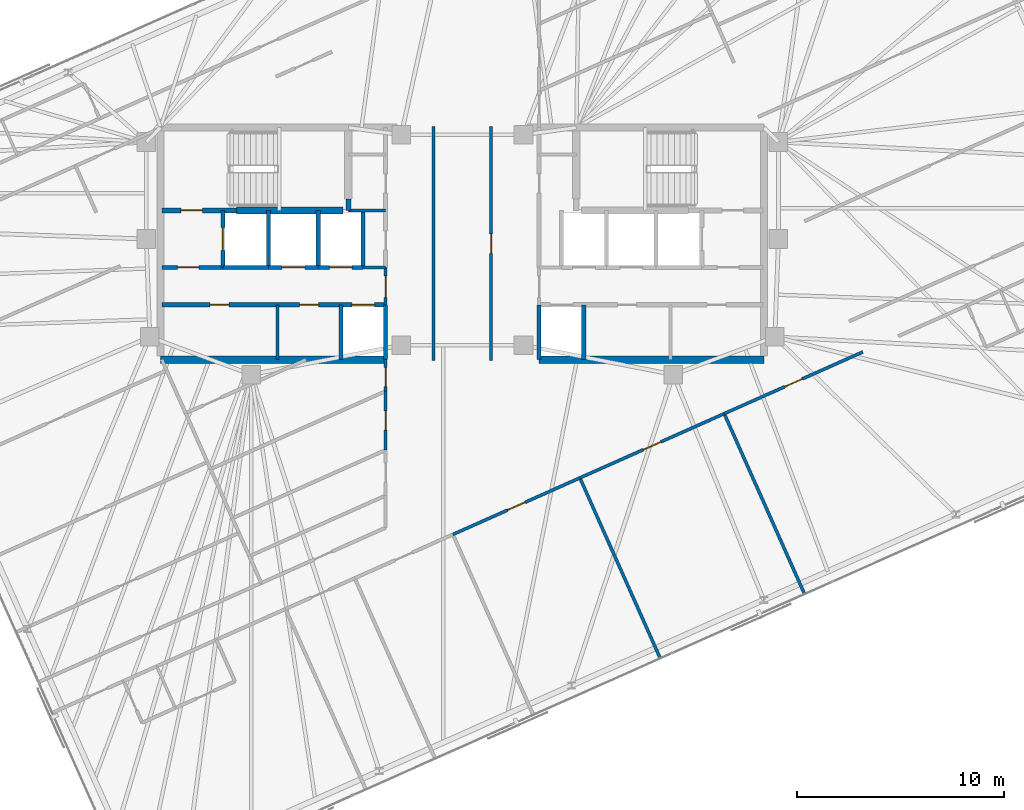
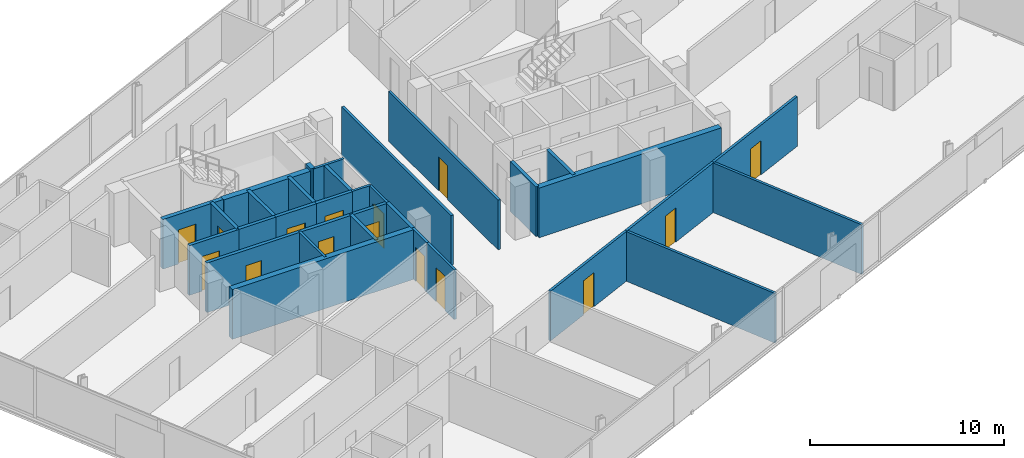
# One storey, part 14 of 19: 31 walls, 15 doors, 15 openings.
"""IFC4 building model written with IfcOpenShell, lengths in metres."""

from ifc_helpers import new_model, si_unit, direction, frame, frame_2d, origin, place, context, subcontext, project, spatial, rectangle, extrude, material, layer, layer_set, type_object, element, fill, save


model = new_model("IFC4")

# Units and contexts
model_context = context("Model", 3, precision=1e-05, world=origin(), true_north=direction((0.0, 1.0)))
body_context = subcontext(model_context, "Body", "Model", "MODEL_VIEW")
ifc_project = project(units=[si_unit("LENGTHUNIT", "METRE"), si_unit("AREAUNIT", "SQUARE_METRE"), si_unit("VOLUMEUNIT", "CUBIC_METRE"), si_unit("PLANEANGLEUNIT", "RADIAN"), si_unit("MASSUNIT", "GRAM", prefix="KILO")], contexts=[model_context])

# Site, building, storey
site_placement = place(None, origin())
site = spatial("IfcSite", under=ifc_project, at=site_placement, CompositionType="ELEMENT")
building_placement = place(site_placement, origin())
building = spatial("IfcBuilding", under=site, at=building_placement, Name="Menara Jurai Vektor", CompositionType="ELEMENT")
storey_placement = place(building_placement, frame((0.0, 0.0, 262.199951171875)))
storey = spatial("IfcBuildingStorey", under=building, at=storey_placement, Name="L70", CompositionType="ELEMENT", Elevation=262.199951171875)

# Wall, opening, door
ifc_material_1 = material(Name="Concrete C40/50", Category="concrete")
ifc_layer_1 = layer(ifc_material_1, 0.25)
ifc_layer_set_1 = layer_set([ifc_layer_1], Name="Concrete C40/50")
wall_type_1 = type_object("IfcWallType", Name="INT-WALL-CORE-250", PredefinedType="STANDARD", material=ifc_layer_set_1)
wall_1_placement = place(storey_placement, frame((-14.5, 1.60009765625, 0.0), z_axis=(0.0, 0.0, 1.0), x_axis=(1.0, 0.0, 0.0)))
wall_1 = element("IfcWall", 1, at=wall_1_placement, inside=storey, type_object=wall_type_1, Name="Interior Wall IW-250 L70", PredefinedType="STANDARD", context=body_context, shape_type="SweptSolid", body=[
    extrude(rectangle(XDim=3.60009765625, YDim=0.25, at=frame_2d((1.800048828125, 0.0))), origin(), (0.0, 0.0, 1.0), 3.125),
])
opening_1_placement = place(wall_1_placement, frame((0.919921875, 0.0, 0.0)))
opening_1 = element("IfcOpeningElement", 2, at=opening_1_placement, cuts=wall_1, Name="Opening D-L70-ST1", PredefinedType="OPENING", context=body_context, shape_type="SweptSolid", body=[
    extrude(rectangle(XDim=1.050048828125, YDim=2.14990234375, at=frame_2d((0.52490234375, 1.074951171875))), frame((0.0, 0.135009765625, 0.0), z_axis=(0.0, -1.0, 0.0), x_axis=(1.0, 0.0, 0.0)), (0.0, 0.0, 1.0), 0.27001953125),
])
ifc_material_2 = material(Name="Fire-Rated Steel Door", Category="steel")
door_type_1 = type_object("IfcDoorType", Name="DR-STAIR-1050", OperationType="NOTDEFINED", PredefinedType="DOOR", material=ifc_material_2)
door_1_placement = place(opening_1_placement, origin())
door_1 = element("IfcDoor", 3, at=door_1_placement, inside=storey, type_object=door_type_1, Name="Exit Stair ST1 Door L70", OperationType="SINGLE_SWING_RIGHT", OverallHeight=2.14990234375, OverallWidth=1.050048828125, PredefinedType="DOOR", context=body_context, shape_type="SweptSolid", body=[
    extrude(rectangle(XDim=1.050048828125, YDim=2.14990234375, at=frame_2d((0.52490234375, 1.074951171875))), frame((0.0, 0.02490234375, 0.0), z_axis=(0.0, -1.0, 0.0), x_axis=(1.0, 0.0, 0.0)), (0.0, 0.0, 1.0), 0.050048828125),
])
fill(opening_1, door_1)

# Wall
wall_2_placement = place(storey_placement, frame((-5.5, 1.60009765625, 0.0), z_axis=(0.0, 0.0, 1.0), x_axis=(0.0, 1.0, 0.0)))
element("IfcWall", 4, at=wall_2_placement, inside=storey, type_object=wall_type_1, Name="Interior Wall IW-250 L70", PredefinedType="STANDARD", context=body_context, shape_type="SweptSolid", body=[
    extrude(rectangle(XDim=0.5498046875, YDim=0.25, at=frame_2d((0.27490234375, 0.0))), origin(), (0.0, 0.0, 1.0), 3.125),
])

# Wall, opening, door
wall_3_placement = place(storey_placement, frame((-11.550048828125, -1.14990234375, 0.0), z_axis=(0.0, 0.0, 1.0), x_axis=(0.0, 1.0, 0.0)))
wall_3 = element("IfcWall", 5, at=wall_3_placement, inside=storey, type_object=wall_type_1, Name="Interior Wall IW-250 L70", PredefinedType="STANDARD", context=body_context, shape_type="SweptSolid", body=[
    extrude(rectangle(XDim=2.75, YDim=0.199951171875, at=frame_2d((1.375, 0.0))), origin(), (0.0, 0.0, 1.0), 3.125),
])
opening_2_placement = place(wall_3_placement, frame((0.824951171875, 0.0, 0.0)))
opening_2 = element("IfcOpeningElement", 6, at=opening_2_placement, cuts=wall_3, Name="Opening LD-L70-FL1", PredefinedType="OPENING", context=body_context, shape_type="SweptSolid", body=[
    extrude(rectangle(XDim=1.10009765625, YDim=2.14990234375, at=frame_2d((0.550048828125, 1.074951171875))), frame((0.0, 0.10986328125, 0.0), z_axis=(0.0, -1.0, 0.0), x_axis=(1.0, 0.0, 0.0)), (0.0, 0.0, 1.0), 0.219970703125),
])
ifc_material_3 = material(Name="Stainless Steel Sliding Lift Landing Door", Category="steel")
door_type_2 = type_object("IfcDoorType", Name="DR-LIFT-FIRE-1100", OperationType="NOTDEFINED", PredefinedType="DOOR", material=ifc_material_3)
door_2_placement = place(opening_2_placement, origin())
door_2 = element("IfcDoor", 7, at=door_2_placement, inside=storey, type_object=door_type_2, Name="Lift Landing Door FL1 L70", OperationType="SLIDING_TO_RIGHT", OverallHeight=2.14990234375, OverallWidth=1.10009765625, PredefinedType="DOOR", context=body_context, shape_type="SweptSolid", body=[
    extrude(rectangle(XDim=1.10009765625, YDim=2.14990234375, at=frame_2d((0.550048828125, 1.074951171875))), frame((0.0, 0.02490234375, 0.0), z_axis=(0.0, -1.0, 0.0), x_axis=(1.0, 0.0, 0.0)), (0.0, 0.0, 1.0), 0.050048828125),
])
fill(opening_2, door_2)

# Wall
wall_4_placement = place(storey_placement, frame((-9.35009765625, -1.14990234375, 0.0), z_axis=(0.0, 0.0, 1.0), x_axis=(0.0, 1.0, 0.0)))
element("IfcWall", 8, at=wall_4_placement, inside=storey, type_object=wall_type_1, Name="Interior Wall IW-250 L70", PredefinedType="STANDARD", context=body_context, shape_type="SweptSolid", body=[
    extrude(rectangle(XDim=2.75, YDim=0.199951171875, at=frame_2d((1.375, 0.0))), origin(), (0.0, 0.0, 1.0), 3.125),
])

# Wall, opening, door
wall_5_placement = place(storey_placement, frame((-14.5, -1.14990234375, 0.0), z_axis=(0.0, 0.0, 1.0), x_axis=(1.0, 0.0, 0.0)))
wall_5 = element("IfcWall", 9, at=wall_5_placement, inside=storey, type_object=wall_type_1, Name="Interior Wall IW-250 L70", PredefinedType="STANDARD", context=body_context, shape_type="SweptSolid", body=[
    extrude(rectangle(XDim=2.949951171875, YDim=0.199951171875, at=frame_2d((1.47509765625, 0.0))), origin(), (0.0, 0.0, 1.0), 3.125),
])
opening_3_placement = place(wall_5_placement, frame((0.75, 0.0, 0.0)))
opening_3 = element("IfcOpeningElement", 10, at=opening_3_placement, cuts=wall_5, Name="Opening D-L70-FFW", PredefinedType="OPENING", context=body_context, shape_type="SweptSolid", body=[
    extrude(rectangle(XDim=1.050048828125, YDim=2.179931640625, at=frame_2d((0.52490234375, 1.08984375))), frame((0.0, 0.10986328125, 0.0), z_axis=(0.0, -1.0, 0.0), x_axis=(1.0, 0.0, 0.0)), (0.0, 0.0, 1.0), 0.219970703125),
])
ifc_material_4 = material(Name="Fire-Rated Timber Door", Category="wood")
door_type_3 = type_object("IfcDoorType", Name="DR-LOBBY-1050", OperationType="NOTDEFINED", PredefinedType="DOOR", material=ifc_material_4)
door_3_placement = place(opening_3_placement, origin())
door_3 = element("IfcDoor", 11, at=door_3_placement, inside=storey, type_object=door_type_3, Name="Fire Lift Lobby Door W L70", OperationType="SINGLE_SWING_RIGHT", OverallHeight=2.179931640625, OverallWidth=1.050048828125, PredefinedType="DOOR", context=body_context, shape_type="SweptSolid", body=[
    extrude(rectangle(XDim=1.050048828125, YDim=2.179931640625, at=frame_2d((0.52490234375, 1.08984375))), frame((0.0, 0.02490234375, 0.0), z_axis=(0.0, -1.0, 0.0), x_axis=(1.0, 0.0, 0.0)), (0.0, 0.0, 1.0), 0.050048828125),
])
fill(opening_3, door_3)

# Wall
wall_6_placement = place(storey_placement, frame((-11.550048828125, -1.14990234375, 0.0), z_axis=(0.0, 0.0, 1.0), x_axis=(1.0, 0.0, 0.0)))
element("IfcWall", 12, at=wall_6_placement, inside=storey, type_object=wall_type_1, Name="Interior Wall IW-250 L70", PredefinedType="STANDARD", context=body_context, shape_type="SweptSolid", body=[
    extrude(rectangle(XDim=2.199951171875, YDim=0.199951171875, at=frame_2d((1.10009765625, 0.0))), origin(), (0.0, 0.0, 1.0), 3.125),
])

# Wall, opening, door
ifc_material_5 = material(Name="Gypsum Fireboard Partition", Category="gypsum")
ifc_layer_2 = layer(ifc_material_5, 0.14990234375)
ifc_layer_set_2 = layer_set([ifc_layer_2], Name="Gypsum Fireboard Partition")
wall_type_2 = type_object("IfcWallType", Name="INT-WALL-CORR-150", PredefinedType="PARTITIONING", material=ifc_layer_set_2)
wall_7_placement = place(storey_placement, frame((-3.699951171875, -2.949951171875, 0.0), z_axis=(0.0, 0.0, 1.0), x_axis=(0.0, 1.0, 0.0)))
wall_7 = element("IfcWall", 13, at=wall_7_placement, inside=storey, type_object=wall_type_2, Name="Interior Wall IW-150 L70", PredefinedType="PARTITIONING", context=body_context, shape_type="SweptSolid", body=[
    extrude(rectangle(XDim=1.800048828125, YDim=0.14990234375, at=frame_2d((0.89990234375, 0.0))), origin(), (0.0, 0.0, 1.0), 3.125),
])
opening_4_placement = place(wall_7_placement, frame((0.35009765625, 0.0, 0.0)))
opening_4 = element("IfcOpeningElement", 14, at=opening_4_placement, cuts=wall_7, Name="Opening D-L70-LLW", PredefinedType="OPENING", context=body_context, shape_type="SweptSolid", body=[
    extrude(rectangle(XDim=1.050048828125, YDim=2.179931640625, at=frame_2d((0.52490234375, 1.08984375))), frame((0.0, 0.0849609375, 0.0), z_axis=(0.0, -1.0, 0.0), x_axis=(1.0, 0.0, 0.0)), (0.0, 0.0, 1.0), 0.169921875),
])
door_4_placement = place(opening_4_placement, origin())
door_4 = element("IfcDoor", 15, at=door_4_placement, inside=storey, type_object=door_type_3, Name="Lift Lobby Corridor Door W L70", OperationType="SINGLE_SWING_LEFT", OverallHeight=2.179931640625, OverallWidth=1.050048828125, PredefinedType="DOOR", context=body_context, shape_type="SweptSolid", body=[
    extrude(rectangle(XDim=1.050048828125, YDim=2.179931640625, at=frame_2d((0.52490234375, 1.08984375))), frame((0.0, 0.02490234375, 0.0), z_axis=(0.0, -1.0, 0.0), x_axis=(1.0, 0.0, 0.0)), (0.0, 0.0, 1.0), 0.050048828125),
])
fill(opening_4, door_4)

# Walls
wall_8_placement = place(storey_placement, frame((-4.7900390625, -1.14990234375, 0.0), z_axis=(0.0, 0.0, 1.0), x_axis=(1.0, 0.0, 0.0)))
element("IfcWall", 16, at=wall_8_placement, inside=storey, type_object=wall_type_2, Name="Interior Wall IW-150 L70", PredefinedType="PARTITIONING", context=body_context, shape_type="SweptSolid", body=[
    extrude(rectangle(XDim=1.090087890625, YDim=0.14990234375, at=frame_2d((0.544921875, 0.0))), origin(), (0.0, 0.0, 1.0), 3.125),
])
wall_9_placement = place(storey_placement, frame((-8.919921875, -5.60009765625, 0.0), z_axis=(0.0, 0.0, 1.0), x_axis=(0.0, 1.0, 0.0)))
element("IfcWall", 17, at=wall_9_placement, inside=storey, type_object=wall_type_2, Name="Interior Wall IW-150 L70", PredefinedType="PARTITIONING", context=body_context, shape_type="SweptSolid", body=[
    extrude(rectangle(XDim=2.650146484375, YDim=0.14990234375, at=frame_2d((1.3251953125, 0.0))), origin(), (0.0, 0.0, 1.0), 3.125),
])
wall_10_placement = place(storey_placement, frame((-5.5, 1.60009765625, 0.0), z_axis=(0.0, 0.0, 1.0), x_axis=(1.0, 0.0, 0.0)))
element("IfcWall", 18, at=wall_10_placement, inside=storey, type_object=wall_type_2, Name="Interior Wall IW-150 L70", PredefinedType="PARTITIONING", context=body_context, shape_type="SweptSolid", body=[
    extrude(rectangle(XDim=1.800048828125, YDim=0.14990234375, at=frame_2d((0.89990234375, 0.0))), origin(), (0.0, 0.0, 1.0), 3.125),
])
wall_11_placement = place(storey_placement, frame((-1.390869140625, -5.64990234375, 0.0), z_axis=(0.0, 0.0, 1.0), x_axis=(-2.1605738e-05, 0.999999999767, 0.0)))
element("IfcWall", 19, at=wall_11_placement, inside=storey, type_object=wall_type_2, Name="Interior Wall IW-150 L70", PredefinedType="PARTITIONING", context=body_context, shape_type="SweptSolid", body=[
    extrude(rectangle(XDim=11.2998046875, YDim=0.14990234375, at=frame_2d((5.64990234375, 0.0))), origin(), (0.0, 0.0, 1.0), 3.125),
])

# Wall, opening, door
wall_12_placement = place(storey_placement, frame((1.390869140625, -5.650390625, 0.0), z_axis=(0.0, 0.0, 1.0), x_axis=(4.3206809e-05, 0.999999999067, 0.0)))
wall_12 = element("IfcWall", 20, at=wall_12_placement, inside=storey, type_object=wall_type_2, Name="Interior Wall IW-150 L70", PredefinedType="PARTITIONING", context=body_context, shape_type="SweptSolid", body=[
    extrude(rectangle(XDim=11.301025390625, YDim=0.14990234375, at=frame_2d((5.650390625, 0.0))), origin(), (0.0, 0.0, 1.0), 3.125),
])
opening_5_placement = place(wall_12_placement, frame((5.175537109375, 0.0, 0.0)))
opening_5 = element("IfcOpeningElement", 21, at=opening_5_placement, cuts=wall_12, Name="Opening D70-08", PredefinedType="OPENING", context=body_context, shape_type="SweptSolid", body=[
    extrude(rectangle(XDim=0.949951171875, YDim=2.14990234375, at=frame_2d((0.47509765625, 1.074951171875))), frame((0.0, 0.0849609375, 0.0), z_axis=(0.0, -1.0, 0.0), x_axis=(1.0, 0.0, 0.0)), (0.0, 0.0, 1.0), 0.169921875),
])
ifc_material_6 = material(Name="Solid Core Timber Fire Door", Category="wood")
door_type_4 = type_object("IfcDoorType", Name="DR-ENTRY-950", OperationType="NOTDEFINED", PredefinedType="DOOR", material=ifc_material_6)
door_5_placement = place(opening_5_placement, origin())
door_5 = element("IfcDoor", 22, at=door_5_placement, inside=storey, type_object=door_type_4, Name="Interior Door D70-08", OperationType="SINGLE_SWING_LEFT", OverallHeight=2.14990234375, OverallWidth=0.949951171875, PredefinedType="DOOR", context=body_context, shape_type="SweptSolid", body=[
    extrude(rectangle(XDim=0.949951171875, YDim=2.14990234375, at=frame_2d((0.47509765625, 1.074951171875))), frame((0.0, 0.02490234375, 0.0), z_axis=(0.0, -1.0, 0.0), x_axis=(1.0, 0.0, 0.0)), (0.0, 0.0, 1.0), 0.050048828125),
])
fill(opening_5, door_5)

wall_13_placement = place(storey_placement, frame((-0.455810546875, -14.0322265625, 0.0), z_axis=(0.0, 0.0, 1.0), x_axis=(0.913541200883, 0.40674620378, 0.0)))
wall_13 = element("IfcWall", 23, at=wall_13_placement, inside=storey, type_object=wall_type_2, Name="Interior Wall IW-150 L70", PredefinedType="PARTITIONING", context=body_context, shape_type="SweptSolid", body=[
    extrude(rectangle(XDim=6.708251953125, YDim=0.14990234375, at=frame_2d((3.35400390625, 0.0))), origin(), (0.0, 0.0, 1.0), 3.125),
])
opening_6_placement = place(wall_13_placement, frame((2.89404296875, 0.0, 0.0)))
opening_6 = element("IfcOpeningElement", 24, at=opening_6_placement, cuts=wall_13, Name="Opening D70-28", PredefinedType="OPENING", context=body_context, shape_type="SweptSolid", body=[
    extrude(rectangle(XDim=0.919921875, YDim=2.14990234375, at=frame_2d((0.4599609375, 1.074951171875))), frame((0.0, 0.0849609375, 0.0), z_axis=(0.0, -1.0, 0.0), x_axis=(1.0, 0.0, 0.0)), (0.0, 0.0, 1.0), 0.169921875),
])
door_6_placement = place(opening_6_placement, origin())
door_6 = element("IfcDoor", 25, at=door_6_placement, inside=storey, type_object=door_type_4, Name="Interior Door D70-28", OperationType="SINGLE_SWING_LEFT", OverallHeight=2.14990234375, OverallWidth=0.919921875, PredefinedType="DOOR", context=body_context, shape_type="SweptSolid", body=[
    extrude(rectangle(XDim=0.919921875, YDim=2.14990234375, at=frame_2d((0.4599609375, 1.074951171875))), frame((0.0, 0.02490234375, 0.0), z_axis=(0.0, -1.0, 0.0), x_axis=(1.0, 0.0, 0.0)), (0.0, 0.0, 1.0), 0.050048828125),
])
fill(opening_6, door_6)

wall_14_placement = place(storey_placement, frame((5.67236328125, -11.3037109375, 0.0), z_axis=(0.0, 0.0, 1.0), x_axis=(0.913549829505, 0.40672682357, 0.0)))
wall_14 = element("IfcWall", 26, at=wall_14_placement, inside=storey, type_object=wall_type_2, Name="Interior Wall IW-150 L70", PredefinedType="PARTITIONING", context=body_context, shape_type="SweptSolid", body=[
    extrude(rectangle(XDim=7.6220703125, YDim=0.14990234375, at=frame_2d((3.81103515625, 0.0))), origin(), (0.0, 0.0, 1.0), 3.125),
])
opening_7_placement = place(wall_14_placement, frame((3.35107421875, 0.0, 0.0)))
opening_7 = element("IfcOpeningElement", 27, at=opening_7_placement, cuts=wall_14, Name="Opening D70-29", PredefinedType="OPENING", context=body_context, shape_type="SweptSolid", body=[
    extrude(rectangle(XDim=0.919921875, YDim=2.14990234375, at=frame_2d((0.4599609375, 1.074951171875))), frame((0.0, 0.0849609375, 0.0), z_axis=(0.0, -1.0, 0.0), x_axis=(1.0, 0.0, 0.0)), (0.0, 0.0, 1.0), 0.169921875),
])
door_7_placement = place(opening_7_placement, origin())
door_7 = element("IfcDoor", 28, at=door_7_placement, inside=storey, type_object=door_type_4, Name="Interior Door D70-29", OperationType="SINGLE_SWING_RIGHT", OverallHeight=2.14990234375, OverallWidth=0.919921875, PredefinedType="DOOR", context=body_context, shape_type="SweptSolid", body=[
    extrude(rectangle(XDim=0.919921875, YDim=2.14990234375, at=frame_2d((0.4599609375, 1.074951171875))), frame((0.0, 0.02490234375, 0.0), z_axis=(0.0, -1.0, 0.0), x_axis=(1.0, 0.0, 0.0)), (0.0, 0.0, 1.0), 0.050048828125),
])
fill(opening_7, door_7)

wall_15_placement = place(storey_placement, frame((12.635498046875, -8.20361328125, 0.0), z_axis=(0.0, 0.0, 1.0), x_axis=(0.913541702649, 0.406745076825, 0.0)))
wall_15 = element("IfcWall", 29, at=wall_15_placement, inside=storey, type_object=wall_type_2, Name="Interior Wall IW-150 L70", PredefinedType="PARTITIONING", context=body_context, shape_type="SweptSolid", body=[
    extrude(rectangle(XDim=7.318115234375, YDim=0.14990234375, at=frame_2d((3.6591796875, 0.0))), origin(), (0.0, 0.0, 1.0), 3.125),
])
opening_8_placement = place(wall_15_placement, frame((3.198974609375, 0.0, 0.0)))
opening_8 = element("IfcOpeningElement", 30, at=opening_8_placement, cuts=wall_15, Name="Opening D70-30", PredefinedType="OPENING", context=body_context, shape_type="SweptSolid", body=[
    extrude(rectangle(XDim=0.919921875, YDim=2.14990234375, at=frame_2d((0.4599609375, 1.074951171875))), frame((0.0, 0.0849609375, 0.0), z_axis=(0.0, -1.0, 0.0), x_axis=(1.0, 0.0, 0.0)), (0.0, 0.0, 1.0), 0.169921875),
])
door_8_placement = place(opening_8_placement, origin())
door_8 = element("IfcDoor", 31, at=door_8_placement, inside=storey, type_object=door_type_4, Name="Interior Door D70-30", OperationType="SINGLE_SWING_LEFT", OverallHeight=2.14990234375, OverallWidth=0.919921875, PredefinedType="DOOR", context=body_context, shape_type="SweptSolid", body=[
    extrude(rectangle(XDim=0.919921875, YDim=2.14990234375, at=frame_2d((0.4599609375, 1.074951171875))), frame((0.0, 0.02490234375, 0.0), z_axis=(0.0, -1.0, 0.0), x_axis=(1.0, 0.0, 0.0)), (0.0, 0.0, 1.0), 0.050048828125),
])
fill(opening_8, door_8)

wall_16_placement = place(storey_placement, frame((-3.699951171875, -9.95849609375, 0.0), z_axis=(0.0, 0.0, 1.0), x_axis=(-0.000171909917, 0.999999985223, 0.0)))
wall_16 = element("IfcWall", 32, at=wall_16_placement, inside=storey, type_object=wall_type_2, Name="Interior Wall IW-150 L70", PredefinedType="PARTITIONING", context=body_context, shape_type="SweptSolid", body=[
    extrude(rectangle(XDim=2.84033203125, YDim=0.14990234375, at=frame_2d((1.420166015625, 0.0))), origin(), (0.0, 0.0, 1.0), 3.125),
])
opening_9_placement = place(wall_16_placement, frame((0.960205078125, 0.0, 0.0)))
opening_9 = element("IfcOpeningElement", 33, at=opening_9_placement, cuts=wall_16, Name="Opening D70-33", PredefinedType="OPENING", context=body_context, shape_type="SweptSolid", body=[
    extrude(rectangle(XDim=0.919921875, YDim=2.14990234375, at=frame_2d((0.4599609375, 1.074951171875))), frame((0.0, 0.0849609375, 0.0), z_axis=(0.0, -1.0, 0.0), x_axis=(1.0, 0.0, 0.0)), (0.0, 0.0, 1.0), 0.169921875),
])
door_9_placement = place(opening_9_placement, origin())
door_9 = element("IfcDoor", 34, at=door_9_placement, inside=storey, type_object=door_type_4, Name="Interior Door D70-33", OperationType="SINGLE_SWING_RIGHT", OverallHeight=2.14990234375, OverallWidth=0.919921875, PredefinedType="DOOR", context=body_context, shape_type="SweptSolid", body=[
    extrude(rectangle(XDim=0.919921875, YDim=2.14990234375, at=frame_2d((0.4599609375, 1.074951171875))), frame((0.0, 0.02490234375, 0.0), z_axis=(0.0, -1.0, 0.0), x_axis=(1.0, 0.0, 0.0)), (0.0, 0.0, 1.0), 0.050048828125),
])
fill(opening_9, door_9)

wall_17_placement = place(storey_placement, frame((-3.700439453125, -7.1181640625, 0.0), z_axis=(0.0, 0.0, 1.0), x_axis=(0.000321543392, 0.999999948305, 0.0)))
wall_17 = element("IfcWall", 35, at=wall_17_placement, inside=storey, type_object=wall_type_2, Name="Interior Wall IW-150 L70", PredefinedType="PARTITIONING", context=body_context, shape_type="SweptSolid", body=[
    extrude(rectangle(XDim=1.5185546875, YDim=0.14990234375, at=frame_2d((0.75927734375, 0.0))), origin(), (0.0, 0.0, 1.0), 3.125),
])
opening_10_placement = place(wall_17_placement, frame((0.219970703125, 0.0, 0.0)))
opening_10 = element("IfcOpeningElement", 36, at=opening_10_placement, cuts=wall_17, Name="Opening D70-34", PredefinedType="OPENING", context=body_context, shape_type="SweptSolid", body=[
    extrude(rectangle(XDim=0.919921875, YDim=2.14990234375, at=frame_2d((0.4599609375, 1.074951171875))), frame((0.0, 0.0849609375, 0.0), z_axis=(0.0, -1.0, 0.0), x_axis=(1.0, 0.0, 0.0)), (0.0, 0.0, 1.0), 0.169921875),
])
door_10_placement = place(opening_10_placement, origin())
door_10 = element("IfcDoor", 37, at=door_10_placement, inside=storey, type_object=door_type_4, Name="Interior Door D70-34", OperationType="SINGLE_SWING_LEFT", OverallHeight=2.14990234375, OverallWidth=0.919921875, PredefinedType="DOOR", context=body_context, shape_type="SweptSolid", body=[
    extrude(rectangle(XDim=0.919921875, YDim=2.14990234375, at=frame_2d((0.4599609375, 1.074951171875))), frame((0.0, 0.02490234375, 0.0), z_axis=(0.0, -1.0, 0.0), x_axis=(1.0, 0.0, 0.0)), (0.0, 0.0, 1.0), 0.050048828125),
])
fill(opening_10, door_10)

# Walls
for number, where, z_axis, x_axis, name in (
    (38, (9.550537109375, -20.014404296875, 0.0), (0.0, 0.0, 1.0), (-0.406729927653, 0.913548447512, 0.0), "Interior Wall IW-150 L70"),
    (39, (16.513671875, -16.914306640625, 0.0), (0.0, 0.0, 1.0), (-0.406729927653, 0.913548447512, 0.0), "Interior Wall IW-150 L70"),
):
    element("IfcWall", number, at=place(storey_placement, frame(where, z_axis=z_axis, x_axis=x_axis)), inside=storey, type_object=wall_type_2, Name=name, PredefinedType="PARTITIONING", context=body_context, shape_type="SweptSolid", body=[
        extrude(rectangle(XDim=9.534912109375, YDim=0.14990234375, at=frame_2d((4.767578125, 0.0))), origin(), (0.0, 0.0, 1.0), 3.125),
    ])
ifc_layer_3 = layer(ifc_material_1, 0.199951171875)
ifc_layer_set_3 = layer_set([ifc_layer_3], Name="Concrete C40/50")
wall_type_3 = type_object("IfcWallType", Name="INT-WALL-SHAFT-200", PredefinedType="STANDARD", material=ifc_layer_set_3)
wall_18_placement = place(storey_placement, frame((-3.699951171875, -5.60009765625, 0.0), z_axis=(0.0, 0.0, 1.0), x_axis=(0.0, 1.0, 0.0)))
element("IfcWall", 40, at=wall_18_placement, inside=storey, type_object=wall_type_3, Name="Interior Wall IW-200 L70", PredefinedType="STANDARD", context=body_context, shape_type="SweptSolid", body=[
    extrude(rectangle(XDim=2.650146484375, YDim=0.199951171875, at=frame_2d((1.3251953125, 0.0))), origin(), (0.0, 0.0, 1.0), 3.125),
])
wall_19_placement = place(storey_placement, frame((-6.949951171875, -1.14990234375, 0.0), z_axis=(0.0, 0.0, 1.0), x_axis=(0.0, 1.0, 0.0)))
element("IfcWall", 41, at=wall_19_placement, inside=storey, type_object=wall_type_3, Name="Interior Wall IW-200 L70", PredefinedType="STANDARD", context=body_context, shape_type="SweptSolid", body=[
    extrude(rectangle(XDim=2.75, YDim=0.199951171875, at=frame_2d((1.375, 0.0))), origin(), (0.0, 0.0, 1.0), 3.125),
])

# Wall, opening, door
wall_20_placement = place(storey_placement, frame((-9.35009765625, -1.14990234375, 0.0), z_axis=(0.0, 0.0, 1.0), x_axis=(1.0, 0.0, 0.0)))
wall_20 = element("IfcWall", 42, at=wall_20_placement, inside=storey, type_object=wall_type_3, Name="Interior Wall IW-200 L70", PredefinedType="STANDARD", context=body_context, shape_type="SweptSolid", body=[
    extrude(rectangle(XDim=2.400146484375, YDim=0.199951171875, at=frame_2d((1.2001953125, 0.0))), origin(), (0.0, 0.0, 1.0), 3.125),
])
opening_11_placement = place(wall_20_placement, frame((0.64990234375, 0.0, 0.0)))
opening_11 = element("IfcOpeningElement", 43, at=opening_11_placement, cuts=wall_20, Name="Opening LD-L70-SVL1", PredefinedType="OPENING", context=body_context, shape_type="SweptSolid", body=[
    extrude(rectangle(XDim=1.10009765625, YDim=2.14990234375, at=frame_2d((0.550048828125, 1.074951171875))), frame((0.0, 0.10986328125, 0.0), z_axis=(0.0, -1.0, 0.0), x_axis=(1.0, 0.0, 0.0)), (0.0, 0.0, 1.0), 0.219970703125),
])
ifc_material_7 = material(Name="Anodised Stainless Sliding Lift Landing Door", Category="steel")
door_type_5 = type_object("IfcDoorType", Name="DR-LIFT-PASS-1100", OperationType="NOTDEFINED", PredefinedType="DOOR", material=ifc_material_7)
door_11_placement = place(opening_11_placement, origin())
door_11 = element("IfcDoor", 44, at=door_11_placement, inside=storey, type_object=door_type_5, Name="Lift Landing Door SVL1 L70", OperationType="SLIDING_TO_RIGHT", OverallHeight=2.14990234375, OverallWidth=1.10009765625, PredefinedType="DOOR", context=body_context, shape_type="SweptSolid", body=[
    extrude(rectangle(XDim=1.10009765625, YDim=2.14990234375, at=frame_2d((0.550048828125, 1.074951171875))), frame((0.0, 0.02490234375, 0.0), z_axis=(0.0, -1.0, 0.0), x_axis=(1.0, 0.0, 0.0)), (0.0, 0.0, 1.0), 0.050048828125),
])
fill(opening_11, door_11)

# Wall
wall_21_placement = place(storey_placement, frame((-4.7900390625, -1.14990234375, 0.0), z_axis=(0.0, 0.0, 1.0), x_axis=(0.0, 1.0, 0.0)))
element("IfcWall", 45, at=wall_21_placement, inside=storey, type_object=wall_type_3, Name="Interior Wall IW-200 L70", PredefinedType="STANDARD", context=body_context, shape_type="SweptSolid", body=[
    extrude(rectangle(XDim=2.75, YDim=0.199951171875, at=frame_2d((1.375, 0.0))), origin(), (0.0, 0.0, 1.0), 3.125),
])

# Wall, opening, door
wall_22_placement = place(storey_placement, frame((-6.949951171875, -1.14990234375, 0.0), z_axis=(0.0, 0.0, 1.0), x_axis=(1.0, 0.0, 0.0)))
wall_22 = element("IfcWall", 46, at=wall_22_placement, inside=storey, type_object=wall_type_3, Name="Interior Wall IW-200 L70", PredefinedType="STANDARD", context=body_context, shape_type="SweptSolid", body=[
    extrude(rectangle(XDim=2.159912109375, YDim=0.199951171875, at=frame_2d((1.080078125, 0.0))), origin(), (0.0, 0.0, 1.0), 3.125),
])
opening_12_placement = place(wall_22_placement, frame((0.530029296875, 0.0, 0.0)))
opening_12 = element("IfcOpeningElement", 47, at=opening_12_placement, cuts=wall_22, Name="Opening LD-L70-PH2", PredefinedType="OPENING", context=body_context, shape_type="SweptSolid", body=[
    extrude(rectangle(XDim=1.10009765625, YDim=2.14990234375, at=frame_2d((0.550048828125, 1.074951171875))), frame((0.0, 0.10986328125, 0.0), z_axis=(0.0, -1.0, 0.0), x_axis=(1.0, 0.0, 0.0)), (0.0, 0.0, 1.0), 0.219970703125),
])
door_12_placement = place(opening_12_placement, origin())
door_12 = element("IfcDoor", 48, at=door_12_placement, inside=storey, type_object=door_type_5, Name="Lift Landing Door PH2 L70", OperationType="SLIDING_TO_RIGHT", OverallHeight=2.14990234375, OverallWidth=1.10009765625, PredefinedType="DOOR", context=body_context, shape_type="SweptSolid", body=[
    extrude(rectangle(XDim=1.10009765625, YDim=2.14990234375, at=frame_2d((0.550048828125, 1.074951171875))), frame((0.0, 0.02490234375, 0.0), z_axis=(0.0, -1.0, 0.0), x_axis=(1.0, 0.0, 0.0)), (0.0, 0.0, 1.0), 0.050048828125),
])
fill(opening_12, door_12)

# Wall, openings, doors
wall_23_placement = place(storey_placement, frame((-14.5, -2.949951171875, 0.0), z_axis=(0.0, 0.0, 1.0), x_axis=(1.0, 0.0, 0.0)))
wall_23 = element("IfcWall", 49, at=wall_23_placement, inside=storey, type_object=wall_type_3, Name="Interior Wall IW-200 L70", PredefinedType="STANDARD", context=body_context, shape_type="SweptSolid", body=[
    extrude(rectangle(XDim=10.800048828125, YDim=0.199951171875, at=frame_2d((5.39990234375, 0.0))), origin(), (0.0, 0.0, 1.0), 3.125),
])
opening_13_placement = place(wall_23_placement, frame((9.169921875, 0.0, 0.0)))
opening_13 = element("IfcOpeningElement", 50, at=opening_13_placement, cuts=wall_23, Name="Opening LD-L70-PH1", PredefinedType="OPENING", context=body_context, shape_type="SweptSolid", body=[
    extrude(rectangle(XDim=1.10009765625, YDim=2.14990234375, at=frame_2d((0.550048828125, 1.074951171875))), frame((0.0, 0.10986328125, 0.0), z_axis=(0.0, -1.0, 0.0), x_axis=(1.0, 0.0, 0.0)), (0.0, 0.0, 1.0), 0.219970703125),
])
opening_14_placement = place(wall_23_placement, frame((2.330078125, 0.0, 0.0)))
opening_14 = element("IfcOpeningElement", 51, at=opening_14_placement, cuts=wall_23, Name="Opening D70-01", PredefinedType="OPENING", context=body_context, shape_type="SweptSolid", body=[
    extrude(rectangle(XDim=0.919921875, YDim=2.14990234375, at=frame_2d((0.4599609375, 1.074951171875))), frame((0.0, 0.10986328125, 0.0), z_axis=(0.0, -1.0, 0.0), x_axis=(1.0, 0.0, 0.0)), (0.0, 0.0, 1.0), 0.219970703125),
])
opening_15_placement = place(wall_23_placement, frame((6.64990234375, 0.0, 0.0)))
opening_15 = element("IfcOpeningElement", 52, at=opening_15_placement, cuts=wall_23, Name="Opening D70-02", PredefinedType="OPENING", context=body_context, shape_type="SweptSolid", body=[
    extrude(rectangle(XDim=0.919921875, YDim=2.14990234375, at=frame_2d((0.4599609375, 1.074951171875))), frame((0.0, 0.10986328125, 0.0), z_axis=(0.0, -1.0, 0.0), x_axis=(1.0, 0.0, 0.0)), (0.0, 0.0, 1.0), 0.219970703125),
])
door_13_placement = place(opening_14_placement, origin())
door_13 = element("IfcDoor", 53, at=door_13_placement, inside=storey, type_object=door_type_4, Name="Interior Door D70-01", OperationType="SINGLE_SWING_LEFT", OverallHeight=2.14990234375, OverallWidth=0.919921875, PredefinedType="DOOR", context=body_context, shape_type="SweptSolid", body=[
    extrude(rectangle(XDim=0.919921875, YDim=2.14990234375, at=frame_2d((0.4599609375, 1.074951171875))), frame((0.0, 0.02490234375, 0.0), z_axis=(0.0, -1.0, 0.0), x_axis=(1.0, 0.0, 0.0)), (0.0, 0.0, 1.0), 0.050048828125),
])
fill(opening_14, door_13)
door_14_placement = place(opening_15_placement, origin())
door_14 = element("IfcDoor", 54, at=door_14_placement, inside=storey, type_object=door_type_4, Name="Interior Door D70-02", OperationType="SINGLE_SWING_RIGHT", OverallHeight=2.14990234375, OverallWidth=0.919921875, PredefinedType="DOOR", context=body_context, shape_type="SweptSolid", body=[
    extrude(rectangle(XDim=0.919921875, YDim=2.14990234375, at=frame_2d((0.4599609375, 1.074951171875))), frame((0.0, 0.02490234375, 0.0), z_axis=(0.0, -1.0, 0.0), x_axis=(1.0, 0.0, 0.0)), (0.0, 0.0, 1.0), 0.050048828125),
])
fill(opening_15, door_14)
door_15_placement = place(opening_13_placement, origin())
door_15 = element("IfcDoor", 55, at=door_15_placement, inside=storey, type_object=door_type_5, Name="Lift Landing Door PH1 L70", OperationType="SLIDING_TO_RIGHT", OverallHeight=2.14990234375, OverallWidth=1.10009765625, PredefinedType="DOOR", context=body_context, shape_type="SweptSolid", body=[
    extrude(rectangle(XDim=1.10009765625, YDim=2.14990234375, at=frame_2d((0.550048828125, 1.074951171875))), frame((0.0, 0.02490234375, 0.0), z_axis=(0.0, -1.0, 0.0), x_axis=(1.0, 0.0, 0.0)), (0.0, 0.0, 1.0), 0.050048828125),
])
fill(opening_13, door_15)

# Walls
for number, where, z_axis, x_axis, name in (
    (56, (-5.860107421875, -5.60009765625, 0.0), (0.0, 0.0, 1.0), (0.0, 1.0, 0.0), "Interior Wall IW-200 L70"),
    (57, (3.699951171875, -5.60009765625, 0.0), (0.0, 0.0, 1.0), (0.0, 1.0, 0.0), "Interior Wall IW-200 L70"),
    (58, (5.860107421875, -5.60009765625, 0.0), (0.0, 0.0, 1.0), (0.0, 1.0, 0.0), "Interior Wall IW-200 L70"),
):
    element("IfcWall", number, at=place(storey_placement, frame(where, z_axis=z_axis, x_axis=x_axis)), inside=storey, type_object=wall_type_3, Name=name, PredefinedType="STANDARD", context=body_context, shape_type="SweptSolid", body=[
        extrude(rectangle(XDim=2.650146484375, YDim=0.199951171875, at=frame_2d((1.3251953125, 0.0))), origin(), (0.0, 0.0, 1.0), 3.125),
    ])
ifc_material_8 = material(Name="Concrete C50/60", Category="concrete")
ifc_layer_4 = layer(ifc_material_8, 0.35009765625)
ifc_layer_set_4 = layer_set([ifc_layer_4], Name="Concrete C50/60")
wall_type_4 = type_object("IfcWallType", Name="STR-WALL-CORE350", PredefinedType="SHEAR", material=ifc_layer_set_4)
wall_24_placement = place(storey_placement, frame((-14.56005859375, -5.60009765625, 0.0), z_axis=(0.0, 0.0, 1.0), x_axis=(1.0, 0.0, 0.0)))
element("IfcWall", 59, at=wall_24_placement, inside=storey, type_object=wall_type_4, Name="Core Shear Wall CW-W-S L70", PredefinedType="SHEAR", context=body_context, shape_type="SweptSolid", body=[
    extrude(rectangle(XDim=10.860107421875, YDim=0.35009765625, at=frame_2d((5.43017578125, 0.0))), origin(), (0.0, 0.0, 1.0), 3.125),
])
wall_25_placement = place(storey_placement, frame((-10.89990234375, 1.60009765625, 0.0), z_axis=(0.0, 0.0, 1.0), x_axis=(1.0, 0.0, 0.0)))
element("IfcWall", 60, at=wall_25_placement, inside=storey, type_object=wall_type_4, Name="Core Shear Wall CW-W-STS L70", PredefinedType="SHEAR", context=body_context, shape_type="SweptSolid", body=[
    extrude(rectangle(XDim=5.14990234375, YDim=0.35009765625, at=frame_2d((2.574951171875, 0.0))), origin(), (0.0, 0.0, 1.0), 3.125),
])
wall_26_placement = place(storey_placement, frame((3.699951171875, -5.60009765625, 0.0), z_axis=(0.0, 0.0, 1.0), x_axis=(1.0, 0.0, 0.0)))
element("IfcWall", 61, at=wall_26_placement, inside=storey, type_object=wall_type_4, Name="Core Shear Wall CW-E-S L70", PredefinedType="SHEAR", context=body_context, shape_type="SweptSolid", body=[
    extrude(rectangle(XDim=10.860107421875, YDim=0.35009765625, at=frame_2d((5.43017578125, 0.0))), origin(), (0.0, 0.0, 1.0), 3.125),
])

save(model, "model.ifc")
